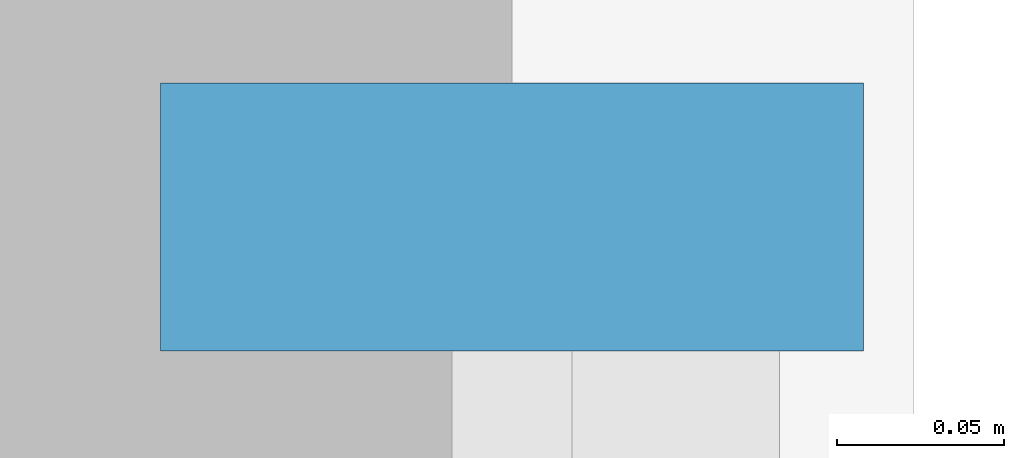
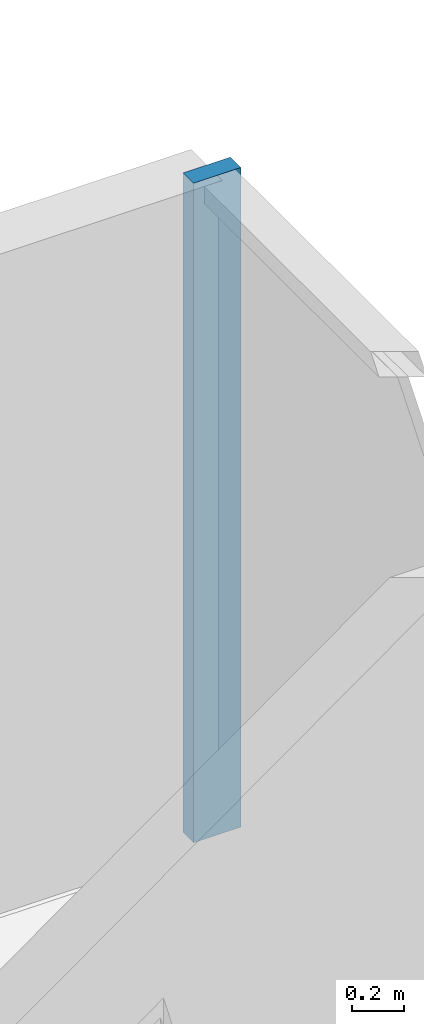
# One storey, part 5 of 12: 1 member, 1 element without a shape of its own.
"""IFC4 building model written with IfcOpenShell, lengths in metres."""

from ifc_helpers import new_model, si_unit, direction, frame, origin, origin_2d, place, context, subcontext, project, spatial, rectangle, extrude, source, transform, mapped, material, layer, layer_set, material_profile, profile_set, type_object, element, aggregate, save


model = new_model("IFC4")

# Units and contexts
model_context = context("Model", 3, precision=1e-05, world=origin(), true_north=direction((0.0, 1.0)))
body_context = subcontext(model_context, "Body", "Model", "MODEL_VIEW")
ifc_project = project(units=[si_unit("LENGTHUNIT", "METRE"), si_unit("AREAUNIT", "SQUARE_METRE"), si_unit("VOLUMEUNIT", "CUBIC_METRE"), si_unit("PLANEANGLEUNIT", "RADIAN"), si_unit("MASSUNIT", "GRAM", prefix="KILO")], contexts=[model_context])

# Site, building, storey
site_placement = place(None, origin())
site = spatial("IfcSite", under=ifc_project, at=site_placement, CompositionType="ELEMENT")
building_placement = place(site_placement, origin())
building = spatial("IfcBuilding", under=site, at=building_placement, Name="Qianlan Lanfeng Residences", CompositionType="ELEMENT")
storey_placement = place(building_placement, frame((0.0, 0.0, 81.699951171875)))
storey = spatial("IfcBuildingStorey", under=building, at=storey_placement, Name="L21", CompositionType="ELEMENT", Elevation=81.699951171875)

# Curtain wall, member
ifc_material = material(Name="Anodised Bronze Aluminium 6063-T6", Category="aluminium")
ifc_layer = layer(ifc_material, 0.219970703125)
ifc_layer_set = layer_set([ifc_layer], Name="Anodised Bronze Aluminium 6063-T6")
curtain_wall_type = type_object("IfcCurtainWallType", Name="CW-03", PredefinedType="NOTDEFINED", material=ifc_layer_set)
curtain_wall_placement = place(storey_placement, origin())
curtain_wall = element("IfcCurtainWall", 1, at=curtain_wall_placement, inside=storey, type_object=curtain_wall_type, Name="L21 Unitised Curtain Wall CWR-L21-05 (CW-03)", PredefinedType="NOTDEFINED")
ifc_material_profile = material_profile(ifc_material, rectangle(XDim=0.080078125, YDim=0.2099609375, at=origin_2d()), Name="ALU MULLION 80x210")
ifc_profile_set = profile_set([ifc_material_profile], Name="Anodised Bronze Aluminium 6063-T6")
member_type = type_object("IfcMemberType", Name="CWM-220", PredefinedType="MULLION", material=ifc_profile_set)
shared_shape = source(origin(), body_context, "Body", "SweptSolid", [
    extrude(rectangle(XDim=0.080078125, YDim=0.2099609375, at=origin_2d()), origin(), (0.0, 0.0, 1.0), 3.090087890625),
])
member_placement = place(storey_placement, frame((51.3798828125, 35.2900390625, 0.0), z_axis=(0.0, 0.0, 1.0), x_axis=(0.0, 1.0, 0.0)))
member = element("IfcMember", 2, at=member_placement, type_object=member_type, Name="CWR-L21-05 Mullion 3", PredefinedType="MULLION", context=body_context, shape_type="MappedRepresentation", body=[
    mapped(shared_shape, transform((0.0, 0.0, 0.0), scale=1.0)),
])
aggregate(curtain_wall, [member])

save(model, "model.ifc")
